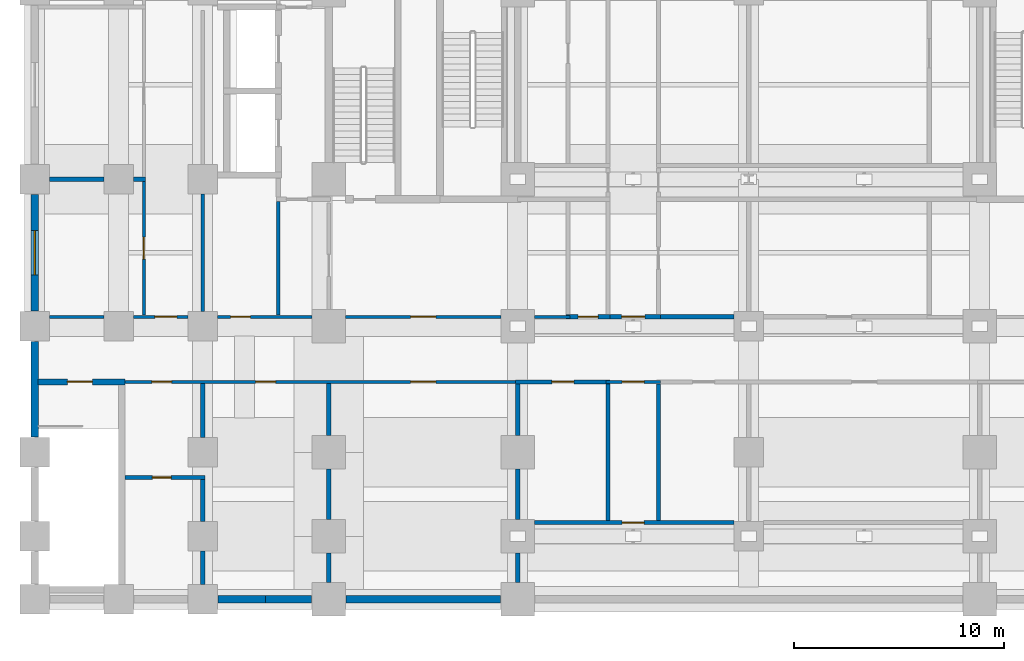
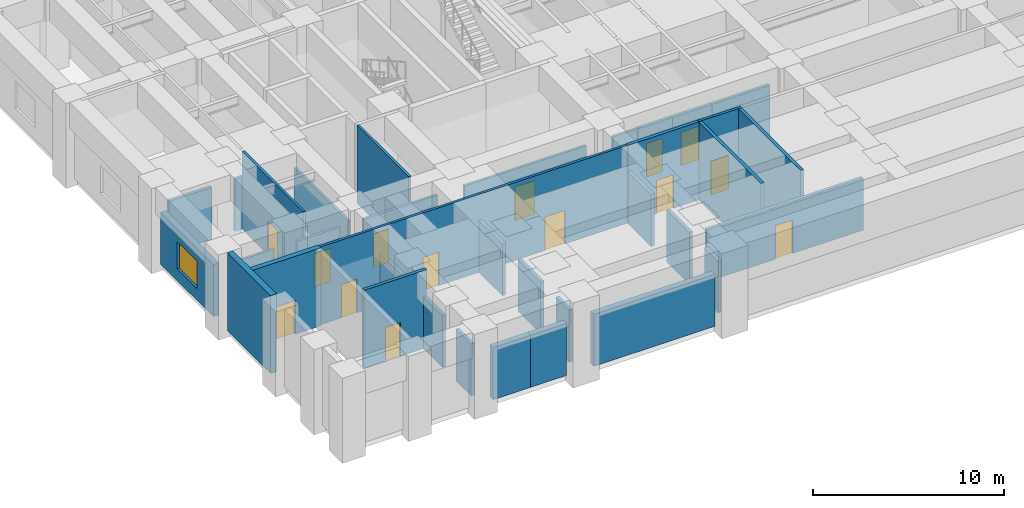
# One storey, part 7 of 22: 35 walls, 14 doors, 1 window, 15 openings.
"""IFC4 building model written with IfcOpenShell, lengths in metres."""

from ifc_helpers import new_model, si_unit, direction, frame, frame_2d, origin, place, context, subcontext, project, spatial, rectangle, extrude, material, layer, layer_set, type_object, element, fill, save


model = new_model("IFC4")

# Units and contexts
model_context = context("Model", 3, precision=1e-05, world=origin(), true_north=direction((0.0, 1.0)))
body_context = subcontext(model_context, "Body", "Model", "MODEL_VIEW")
ifc_project = project(units=[si_unit("LENGTHUNIT", "METRE"), si_unit("AREAUNIT", "SQUARE_METRE"), si_unit("VOLUMEUNIT", "CUBIC_METRE"), si_unit("PLANEANGLEUNIT", "RADIAN"), si_unit("MASSUNIT", "GRAM", prefix="KILO")], contexts=[model_context])

# Site, building, storey
site_placement = place(None, origin())
site = spatial("IfcSite", under=ifc_project, at=site_placement, CompositionType="ELEMENT")
building_placement = place(site_placement, origin())
building = spatial("IfcBuilding", under=site, at=building_placement, Name="Zulmaris Gate Convention Tower", CompositionType="ELEMENT")
storey_placement = place(building_placement, frame((0.0, 0.0, 21.760009765625)))
storey = spatial("IfcBuildingStorey", under=building, at=storey_placement, Name="L04", CompositionType="ELEMENT", Elevation=21.760009765625)

# Wall, opening, door
ifc_material_1 = material(Name="Concrete C50/60", Category="concrete")
ifc_layer_1 = layer(ifc_material_1, 0.300048828125, Name="Concrete C50/60")
ifc_layer_set_1 = layer_set([ifc_layer_1], Name="Concrete C50/60")
wall_type_1 = type_object("IfcWallType", Name="CORE-300", PredefinedType="SHEAR", material=ifc_layer_set_1)
wall_1_placement = place(storey_placement, frame((-33.8349609375, -18.64990234375, 0.0), z_axis=(0.0, 0.0, 1.0), x_axis=(1.0, 0.0, 0.0)))
wall_1 = element("IfcWall", 1, at=wall_1_placement, inside=storey, type_object=wall_type_1, Name="WL-L04-003", PredefinedType="SHEAR", context=body_context, shape_type="SweptSolid", body=[
    extrude(rectangle(XDim=4.135009765625, YDim=0.300048828125, at=frame_2d((2.0673828125, 0.0))), origin(), (0.0, 0.0, 1.0), 4.989990234375),
])
opening_1_placement = place(wall_1_placement, frame((1.385009765625, 0.0, 0.0)))
opening_1 = element("IfcOpeningElement", 2, at=opening_1_placement, cuts=wall_1, Name="Opening D-13", PredefinedType="OPENING", context=body_context, shape_type="SweptSolid", body=[
    extrude(rectangle(XDim=1.199951171875, YDim=2.14990234375, at=frame_2d((0.60009765625, 1.074951171875))), frame((0.0, 0.16015625, 0.0), z_axis=(0.0, -1.0, 0.0), x_axis=(1.0, 0.0, 0.0)), (0.0, 0.0, 1.0), 0.320068359375),
])
ifc_material_2 = material(Name="Fire-Rated Steel", Category="steel")
door_type_1 = type_object("IfcDoorType", Name="DR-1200-FD", OperationType="NOTDEFINED", PredefinedType="DOOR", material=ifc_material_2)
door_1_placement = place(opening_1_placement, origin())
door_1 = element("IfcDoor", 3, at=door_1_placement, inside=storey, type_object=door_type_1, Name="L04 Exit Stair ST-4 Door 25", OperationType="SINGLE_SWING_LEFT", OverallHeight=2.14990234375, OverallWidth=1.199951171875, PredefinedType="DOOR", context=body_context, shape_type="SweptSolid", body=[
    extrude(rectangle(XDim=1.199951171875, YDim=2.14990234375, at=frame_2d((0.60009765625, 1.074951171875))), frame((0.0, 0.02490234375, 0.0), z_axis=(0.0, -1.0, 0.0), x_axis=(1.0, 0.0, 0.0)), (0.0, 0.0, 1.0), 0.050048828125),
])
fill(opening_1, door_1)

# Wall, openings, doors
ifc_material_3 = material(Name="Gypsum Metal Stud Partition")
ifc_layer_2 = layer(ifc_material_3, 0.14990234375, Name="Gypsum Metal Stud Partition")
ifc_layer_set_2 = layer_set([ifc_layer_2], Name="Gypsum Metal Stud Partition")
wall_type_2 = type_object("IfcWallType", Name="PART-150", PredefinedType="PARTITIONING", material=ifc_layer_set_2)
wall_2_placement = place(storey_placement, frame((-29.85009765625, -18.64990234375, 0.0), z_axis=(0.0, 0.0, 1.0), x_axis=(1.0, 0.0, 0.0)))
wall_2 = element("IfcWall", 4, at=wall_2_placement, inside=storey, type_object=wall_type_2, Name="WL-L04-031", PredefinedType="PARTITIONING", context=body_context, shape_type="SweptSolid", body=[
    extrude(rectangle(XDim=18.9501953125, YDim=0.14990234375, at=frame_2d((9.47509765625, 0.0))), origin(), (0.0, 0.0, 1.0), 4.989990234375),
])
opening_2_placement = place(wall_2_placement, frame((1.425048828125, 0.0, 0.0)))
opening_2 = element("IfcOpeningElement", 5, at=opening_2_placement, cuts=wall_2, Name="Opening D-11", PredefinedType="OPENING", context=body_context, shape_type="SweptSolid", body=[
    extrude(rectangle(XDim=0.949951171875, YDim=2.14990234375, at=frame_2d((0.47509765625, 1.074951171875))), frame((0.0, 0.0849609375, 0.0), z_axis=(0.0, -1.0, 0.0), x_axis=(1.0, 0.0, 0.0)), (0.0, 0.0, 1.0), 0.169921875),
])
opening_3_placement = place(wall_2_placement, frame((6.375, 0.0, 0.0)))
opening_3 = element("IfcOpeningElement", 6, at=opening_3_placement, cuts=wall_2, Name="Opening D-11", PredefinedType="OPENING", context=body_context, shape_type="SweptSolid", body=[
    extrude(rectangle(XDim=0.949951171875, YDim=2.14990234375, at=frame_2d((0.47509765625, 1.074951171875))), frame((0.0, 0.0849609375, 0.0), z_axis=(0.0, -1.0, 0.0), x_axis=(1.0, 0.0, 0.0)), (0.0, 0.0, 1.0), 0.169921875),
])
opening_4_placement = place(wall_2_placement, frame((13.75, 0.0, 0.0)))
opening_4 = element("IfcOpeningElement", 7, at=opening_4_placement, cuts=wall_2, Name="Opening D-13", PredefinedType="OPENING", context=body_context, shape_type="SweptSolid", body=[
    extrude(rectangle(XDim=1.199951171875, YDim=2.14990234375, at=frame_2d((0.60009765625, 1.074951171875))), frame((0.0, 0.0849609375, 0.0), z_axis=(0.0, -1.0, 0.0), x_axis=(1.0, 0.0, 0.0)), (0.0, 0.0, 1.0), 0.169921875),
])
door_2_placement = place(opening_4_placement, origin())
door_2 = element("IfcDoor", 8, at=door_2_placement, inside=storey, type_object=door_type_1, Name="L04 South-West Banquet Hall Door 83", OperationType="SINGLE_SWING_LEFT", OverallHeight=2.14990234375, OverallWidth=1.199951171875, PredefinedType="DOOR", context=body_context, shape_type="SweptSolid", body=[
    extrude(rectangle(XDim=1.199951171875, YDim=2.14990234375, at=frame_2d((0.60009765625, 1.074951171875))), frame((0.0, 0.02490234375, 0.0), z_axis=(0.0, -1.0, 0.0), x_axis=(1.0, 0.0, 0.0)), (0.0, 0.0, 1.0), 0.050048828125),
])
fill(opening_4, door_2)
ifc_material_4 = material(Name="Fire-Rated Timber", Category="wood")
door_type_2 = type_object("IfcDoorType", Name="DR-950-FD", OperationType="NOTDEFINED", PredefinedType="DOOR", material=ifc_material_4)
door_3_placement = place(opening_2_placement, origin())
door_3 = element("IfcDoor", 9, at=door_3_placement, inside=storey, type_object=door_type_2, Name="L04 SW AV Control Door 81", OperationType="SINGLE_SWING_LEFT", OverallHeight=2.14990234375, OverallWidth=0.949951171875, PredefinedType="DOOR", context=body_context, shape_type="SweptSolid", body=[
    extrude(rectangle(XDim=0.949951171875, YDim=2.14990234375, at=frame_2d((0.47509765625, 1.074951171875))), frame((0.0, 0.02490234375, 0.0), z_axis=(0.0, -1.0, 0.0), x_axis=(1.0, 0.0, 0.0)), (0.0, 0.0, 1.0), 0.050048828125),
])
fill(opening_2, door_3)
door_4_placement = place(opening_3_placement, origin())
door_4 = element("IfcDoor", 10, at=door_4_placement, inside=storey, type_object=door_type_2, Name="L04 South-West Seminar Room Door 82", OperationType="SINGLE_SWING_RIGHT", OverallHeight=2.14990234375, OverallWidth=0.949951171875, PredefinedType="DOOR", context=body_context, shape_type="SweptSolid", body=[
    extrude(rectangle(XDim=0.949951171875, YDim=2.14990234375, at=frame_2d((0.47509765625, 1.074951171875))), frame((0.0, 0.02490234375, 0.0), z_axis=(0.0, -1.0, 0.0), x_axis=(1.0, 0.0, 0.0)), (0.0, 0.0, 1.0), 0.050048828125),
])
fill(opening_3, door_4)

# Wall, opening, door
wall_3_placement = place(storey_placement, frame((-6.800048828125, -18.64990234375, 0.0), z_axis=(0.0, 0.0, 1.0), x_axis=(1.0, 0.0, 0.0)))
wall_3 = element("IfcWall", 11, at=wall_3_placement, inside=storey, type_object=wall_type_2, Name="WL-L04-033", PredefinedType="PARTITIONING", context=body_context, shape_type="SweptSolid", body=[
    extrude(rectangle(XDim=2.60009765625, YDim=0.14990234375, at=frame_2d((1.300048828125, 0.0))), origin(), (0.0, 0.0, 1.0), 4.989990234375),
])
opening_5_placement = place(wall_3_placement, frame((0.77490234375, 0.0, 0.0)))
opening_5 = element("IfcOpeningElement", 12, at=opening_5_placement, cuts=wall_3, Name="Opening D-09", PredefinedType="OPENING", context=body_context, shape_type="SweptSolid", body=[
    extrude(rectangle(XDim=1.050048828125, YDim=2.14990234375, at=frame_2d((0.52490234375, 1.074951171875))), frame((0.0, 0.0849609375, 0.0), z_axis=(0.0, -1.0, 0.0), x_axis=(1.0, 0.0, 0.0)), (0.0, 0.0, 1.0), 0.169921875),
])
door_type_3 = type_object("IfcDoorType", Name="DR-1050-FD", OperationType="NOTDEFINED", PredefinedType="DOOR", material=ifc_material_2)
door_5_placement = place(opening_5_placement, origin())
door_5 = element("IfcDoor", 13, at=door_5_placement, inside=storey, type_object=door_type_3, Name="L04 South Truss Apex Passage Door 87", OperationType="SINGLE_SWING_LEFT", OverallHeight=2.14990234375, OverallWidth=1.050048828125, PredefinedType="DOOR", context=body_context, shape_type="SweptSolid", body=[
    extrude(rectangle(XDim=1.050048828125, YDim=2.14990234375, at=frame_2d((0.52490234375, 1.074951171875))), frame((0.0, 0.02490234375, 0.0), z_axis=(0.0, -1.0, 0.0), x_axis=(1.0, 0.0, 0.0)), (0.0, 0.0, 1.0), 0.050048828125),
])
fill(opening_5, door_5)

# Wall
wall_4_placement = place(storey_placement, frame((-33.2939453125, -15.550048828125, 0.0), z_axis=(0.0, 0.0, 1.0), x_axis=(1.0, 0.0, 0.0)))
element("IfcWall", 14, at=wall_4_placement, inside=storey, type_object=wall_type_2, Name="WL-L04-036", PredefinedType="PARTITIONING", context=body_context, shape_type="SweptSolid", body=[
    extrude(rectangle(XDim=2.587890625, YDim=0.14990234375, at=frame_2d((1.2939453125, 0.0))), origin(), (0.0, 0.0, 1.0), 3.33203125),
])

# Wall, opening, door
wall_5_placement = place(storey_placement, frame((-29.2939453125, -15.550048828125, 0.0), z_axis=(0.0, 0.0, 1.0), x_axis=(1.0, 0.0, 0.0)))
wall_5 = element("IfcWall", 15, at=wall_5_placement, inside=storey, type_object=wall_type_2, Name="WL-L04-036S1", PredefinedType="PARTITIONING", context=body_context, shape_type="SweptSolid", body=[
    extrude(rectangle(XDim=2.587890625, YDim=0.14990234375, at=frame_2d((1.2939453125, 0.0))), origin(), (0.0, 0.0, 1.0), 3.33203125),
])
opening_6_placement = place(wall_5_placement, frame((1.01904296875, 0.0, 0.0)))
opening_6 = element("IfcOpeningElement", 16, at=opening_6_placement, cuts=wall_5, Name="Opening D-09", PredefinedType="OPENING", context=body_context, shape_type="SweptSolid", body=[
    extrude(rectangle(XDim=1.050048828125, YDim=2.14990234375, at=frame_2d((0.52490234375, 1.074951171875))), frame((0.0, 0.0849609375, 0.0), z_axis=(0.0, -1.0, 0.0), x_axis=(1.0, 0.0, 0.0)), (0.0, 0.0, 1.0), 0.169921875),
])
door_6_placement = place(opening_6_placement, origin())
door_6 = element("IfcDoor", 17, at=door_6_placement, inside=storey, type_object=door_type_3, Name="L04 West Promenade Stair Link Door 64", OperationType="SINGLE_SWING_RIGHT", OverallHeight=2.14990234375, OverallWidth=1.050048828125, PredefinedType="DOOR", context=body_context, shape_type="SweptSolid", body=[
    extrude(rectangle(XDim=1.050048828125, YDim=2.14990234375, at=frame_2d((0.52490234375, 1.074951171875))), frame((0.0, 0.02490234375, 0.0), z_axis=(0.0, -1.0, 0.0), x_axis=(1.0, 0.0, 0.0)), (0.0, 0.0, 1.0), 0.050048828125),
])
fill(opening_6, door_6)

wall_6_placement = place(storey_placement, frame((-25.2939453125, -15.550048828125, 0.0), z_axis=(0.0, 0.0, 1.0), x_axis=(1.0, 0.0, 0.0)))
wall_6 = element("IfcWall", 18, at=wall_6_placement, inside=storey, type_object=wall_type_2, Name="WL-L04-036S2", PredefinedType="PARTITIONING", context=body_context, shape_type="SweptSolid", body=[
    extrude(rectangle(XDim=4.488037109375, YDim=0.14990234375, at=frame_2d((2.244140625, 0.0))), origin(), (0.0, 0.0, 1.0), 3.33203125),
])
opening_7_placement = place(wall_6_placement, frame((0.618896484375, 0.0, 0.0)))
opening_7 = element("IfcOpeningElement", 19, at=opening_7_placement, cuts=wall_6, Name="Opening D-11", PredefinedType="OPENING", context=body_context, shape_type="SweptSolid", body=[
    extrude(rectangle(XDim=0.949951171875, YDim=2.14990234375, at=frame_2d((0.47509765625, 1.074951171875))), frame((0.0, 0.0849609375, 0.0), z_axis=(0.0, -1.0, 0.0), x_axis=(1.0, 0.0, 0.0)), (0.0, 0.0, 1.0), 0.169921875),
])
door_7_placement = place(opening_7_placement, origin())
door_7 = element("IfcDoor", 20, at=door_7_placement, inside=storey, type_object=door_type_2, Name="L04 West Staging Store Door 35", OperationType="SINGLE_SWING_LEFT", OverallHeight=2.14990234375, OverallWidth=0.949951171875, PredefinedType="DOOR", context=body_context, shape_type="SweptSolid", body=[
    extrude(rectangle(XDim=0.949951171875, YDim=2.14990234375, at=frame_2d((0.47509765625, 1.074951171875))), frame((0.0, 0.02490234375, 0.0), z_axis=(0.0, -1.0, 0.0), x_axis=(1.0, 0.0, 0.0)), (0.0, 0.0, 1.0), 0.050048828125),
])
fill(opening_7, door_7)

wall_7_placement = place(storey_placement, frame((-19.194091796875, -15.550048828125, 0.0), z_axis=(0.0, 0.0, 1.0), x_axis=(1.0, 0.0, 0.0)))
wall_7 = element("IfcWall", 21, at=wall_7_placement, inside=storey, type_object=wall_type_2, Name="WL-L04-036S3", PredefinedType="PARTITIONING", context=body_context, shape_type="SweptSolid", body=[
    extrude(rectangle(XDim=7.38818359375, YDim=0.14990234375, at=frame_2d((3.694091796875, 0.0))), origin(), (0.0, 0.0, 1.0), 3.33203125),
])
opening_8_placement = place(wall_7_placement, frame((3.093994140625, 0.0, 0.0)))
opening_8 = element("IfcOpeningElement", 22, at=opening_8_placement, cuts=wall_7, Name="Opening D-13", PredefinedType="OPENING", context=body_context, shape_type="SweptSolid", body=[
    extrude(rectangle(XDim=1.199951171875, YDim=2.14990234375, at=frame_2d((0.60009765625, 1.074951171875))), frame((0.0, 0.0849609375, 0.0), z_axis=(0.0, -1.0, 0.0), x_axis=(1.0, 0.0, 0.0)), (0.0, 0.0, 1.0), 0.169921875),
])
door_8_placement = place(opening_8_placement, origin())
door_8 = element("IfcDoor", 23, at=door_8_placement, inside=storey, type_object=door_type_1, Name="L04 SW Stair Link Door 44", OperationType="SINGLE_SWING_RIGHT", OverallHeight=2.14990234375, OverallWidth=1.199951171875, PredefinedType="DOOR", context=body_context, shape_type="SweptSolid", body=[
    extrude(rectangle(XDim=1.199951171875, YDim=2.14990234375, at=frame_2d((0.60009765625, 1.074951171875))), frame((0.0, 0.02490234375, 0.0), z_axis=(0.0, -1.0, 0.0), x_axis=(1.0, 0.0, 0.0)), (0.0, 0.0, 1.0), 0.050048828125),
])
fill(opening_8, door_8)

# Wall
wall_8_placement = place(storey_placement, frame((-10.194091796875, -15.550048828125, 0.0), z_axis=(0.0, 0.0, 1.0), x_axis=(1.0, 0.0, 0.0)))
element("IfcWall", 24, at=wall_8_placement, inside=storey, type_object=wall_type_2, Name="WL-L04-036S4", PredefinedType="PARTITIONING", context=body_context, shape_type="SweptSolid", body=[
    extrude(rectangle(XDim=1.694091796875, YDim=0.14990234375, at=frame_2d((0.84716796875, 0.0))), origin(), (0.0, 0.0, 1.0), 3.33203125),
])

# Wall, opening, door
wall_9_placement = place(storey_placement, frame((-28.800048828125, -15.471923828125, 0.0), z_axis=(0.0, 0.0, 1.0), x_axis=(0.0, 1.0, 0.0)))
wall_9 = element("IfcWall", 25, at=wall_9_placement, inside=storey, type_object=wall_type_2, Name="WL-L04-116", PredefinedType="PARTITIONING", context=body_context, shape_type="SweptSolid", body=[
    extrude(rectangle(XDim=6.368896484375, YDim=0.14990234375, at=frame_2d((3.1845703125, 0.0))), origin(), (0.0, 0.0, 1.0), 4.989990234375),
])
opening_9_placement = place(wall_9_placement, frame((2.6669921875, 0.0, 0.0)))
opening_9 = element("IfcOpeningElement", 26, at=opening_9_placement, cuts=wall_9, Name="Opening D-09", PredefinedType="OPENING", context=body_context, shape_type="SweptSolid", body=[
    extrude(rectangle(XDim=1.050048828125, YDim=2.14990234375, at=frame_2d((0.52490234375, 1.074951171875))), frame((0.0, 0.0849609375, 0.0), z_axis=(0.0, -1.0, 0.0), x_axis=(1.0, 0.0, 0.0)), (0.0, 0.0, 1.0), 0.169921875),
])
door_9_placement = place(opening_9_placement, origin())
door_9 = element("IfcDoor", 27, at=door_9_placement, inside=storey, type_object=door_type_3, Name="L04 SW Workshop WL1 Door 66", OperationType="SINGLE_SWING_RIGHT", OverallHeight=2.14990234375, OverallWidth=1.050048828125, PredefinedType="DOOR", context=body_context, shape_type="SweptSolid", body=[
    extrude(rectangle(XDim=1.050048828125, YDim=2.14990234375, at=frame_2d((0.52490234375, 1.074951171875))), frame((0.0, 0.02490234375, 0.0), z_axis=(0.0, -1.0, 0.0), x_axis=(1.0, 0.0, 0.0)), (0.0, 0.0, 1.0), 0.050048828125),
])
fill(opening_9, door_9)

# Walls
wall_10_placement = place(storey_placement, frame((-26.0, -15.2939453125, 0.0), z_axis=(0.0, 0.0, 1.0), x_axis=(0.0, 1.0, 0.0)))
element("IfcWall", 28, at=wall_10_placement, inside=storey, type_object=wall_type_2, Name="WL-L04-122", PredefinedType="PARTITIONING", context=body_context, shape_type="SweptSolid", body=[
    extrude(rectangle(XDim=5.587890625, YDim=0.14990234375, at=frame_2d((2.7939453125, 0.0))), origin(), (0.0, 0.0, 1.0), 3.33203125),
])
wall_11_placement = place(storey_placement, frame((-22.39990234375, -15.471923828125, 0.0), z_axis=(0.0, 0.0, 1.0), x_axis=(0.0, 1.0, 0.0)))
element("IfcWall", 29, at=wall_11_placement, inside=storey, type_object=wall_type_2, Name="WL-L04-126", PredefinedType="PARTITIONING", context=body_context, shape_type="SweptSolid", body=[
    extrude(rectangle(XDim=5.4189453125, YDim=0.14990234375, at=frame_2d((2.70947265625, 0.0))), origin(), (0.0, 0.0, 1.0), 4.989990234375),
])

# Wall, opening, door
ifc_material_5 = material(Name="Autoclaved Aerated Concrete Block and Plasterboard", Category="concrete")
ifc_layer_3 = layer(ifc_material_5, 0.199951171875, Name="Autoclaved Aerated Concrete Block and Plasterboard")
ifc_layer_set_3 = layer_set([ifc_layer_3], Name="Autoclaved Aerated Concrete Block and Plasterboard")
wall_type_3 = type_object("IfcWallType", Name="PART-200", PredefinedType="PARTITIONING", material=ifc_layer_set_3)
wall_12_placement = place(storey_placement, frame((-10.194091796875, -25.35009765625, 0.0), z_axis=(0.0, 0.0, 1.0), x_axis=(1.0, 0.0, 0.0)))
wall_12 = element("IfcWall", 30, at=wall_12_placement, inside=storey, type_object=wall_type_3, Name="WL-L04-029", PredefinedType="PARTITIONING", context=body_context, shape_type="SweptSolid", body=[
    extrude(rectangle(XDim=9.488037109375, YDim=0.199951171875, at=frame_2d((4.744140625, 0.0))), origin(), (0.0, 0.0, 1.0), 3.33203125),
])
opening_10_placement = place(wall_12_placement, frame((4.1689453125, 0.0, 0.0)))
opening_10 = element("IfcOpeningElement", 31, at=opening_10_placement, cuts=wall_12, Name="Opening D-09", PredefinedType="OPENING", context=body_context, shape_type="SweptSolid", body=[
    extrude(rectangle(XDim=1.050048828125, YDim=2.14990234375, at=frame_2d((0.52490234375, 1.074951171875))), frame((0.0, 0.10986328125, 0.0), z_axis=(0.0, -1.0, 0.0), x_axis=(1.0, 0.0, 0.0)), (0.0, 0.0, 1.0), 0.219970703125),
])
door_10_placement = place(opening_10_placement, origin())
door_10 = element("IfcDoor", 32, at=door_10_placement, inside=storey, type_object=door_type_3, Name="L04 South Truss Plant Door 88", OperationType="SINGLE_SWING_RIGHT", OverallHeight=2.14990234375, OverallWidth=1.050048828125, PredefinedType="DOOR", context=body_context, shape_type="SweptSolid", body=[
    extrude(rectangle(XDim=1.050048828125, YDim=2.14990234375, at=frame_2d((0.52490234375, 1.074951171875))), frame((0.0, 0.02490234375, 0.0), z_axis=(0.0, -1.0, 0.0), x_axis=(1.0, 0.0, 0.0)), (0.0, 0.0, 1.0), 0.050048828125),
])
fill(opening_10, door_10)

wall_13_placement = place(storey_placement, frame((-29.697021484375, -23.199951171875, 0.0), z_axis=(0.0, 0.0, 1.0), x_axis=(1.0, 0.0, 0.0)))
wall_13 = element("IfcWall", 33, at=wall_13_placement, inside=storey, type_object=wall_type_3, Name="WL-L04-030", PredefinedType="PARTITIONING", context=body_context, shape_type="SweptSolid", body=[
    extrude(rectangle(XDim=3.797119140625, YDim=0.199951171875, at=frame_2d((1.8984375, 0.0))), origin(), (0.0, 0.0, 1.0), 4.989990234375),
])
opening_11_placement = place(wall_13_placement, frame((1.297119140625, 0.0, 0.0)))
opening_11 = element("IfcOpeningElement", 34, at=opening_11_placement, cuts=wall_13, Name="Opening D-12", PredefinedType="OPENING", context=body_context, shape_type="SweptSolid", body=[
    extrude(rectangle(XDim=0.89990234375, YDim=2.14990234375, at=frame_2d((0.449951171875, 1.074951171875))), frame((0.0, 0.10986328125, 0.0), z_axis=(0.0, -1.0, 0.0), x_axis=(1.0, 0.0, 0.0)), (0.0, 0.0, 1.0), 0.219970703125),
])
door_type_4 = type_object("IfcDoorType", Name="DR-900-FD", OperationType="NOTDEFINED", PredefinedType="DOOR", material=ifc_material_4)
door_11_placement = place(opening_11_placement, origin())
door_11 = element("IfcDoor", 35, at=door_11_placement, inside=storey, type_object=door_type_4, Name="L04 SW AV Store Door 80", OperationType="SINGLE_SWING_RIGHT", OverallHeight=2.14990234375, OverallWidth=0.89990234375, PredefinedType="DOOR", context=body_context, shape_type="SweptSolid", body=[
    extrude(rectangle(XDim=0.89990234375, YDim=2.14990234375, at=frame_2d((0.449951171875, 1.074951171875))), frame((0.0, 0.02490234375, 0.0), z_axis=(0.0, -1.0, 0.0), x_axis=(1.0, 0.0, 0.0)), (0.0, 0.0, 1.0), 0.050048828125),
])
fill(opening_11, door_11)

wall_14_placement = place(storey_placement, frame((-11.10009765625, -18.64990234375, 0.0), z_axis=(0.0, 0.0, 1.0), x_axis=(1.0, 0.0, 0.0)))
wall_14 = element("IfcWall", 36, at=wall_14_placement, inside=storey, type_object=wall_type_3, Name="WL-L04-032", PredefinedType="PARTITIONING", context=body_context, shape_type="SweptSolid", body=[
    extrude(rectangle(XDim=4.5, YDim=0.199951171875, at=frame_2d((2.25, 0.0))), origin(), (0.0, 0.0, 1.0), 4.989990234375),
])
opening_12_placement = place(wall_14_placement, frame((1.72509765625, 0.0, 0.0)))
opening_12 = element("IfcOpeningElement", 37, at=opening_12_placement, cuts=wall_14, Name="Opening D-09", PredefinedType="OPENING", context=body_context, shape_type="SweptSolid", body=[
    extrude(rectangle(XDim=1.050048828125, YDim=2.14990234375, at=frame_2d((0.52490234375, 1.074951171875))), frame((0.0, 0.10986328125, 0.0), z_axis=(0.0, -1.0, 0.0), x_axis=(1.0, 0.0, 0.0)), (0.0, 0.0, 1.0), 0.219970703125),
])
door_12_placement = place(opening_12_placement, origin())
door_12 = element("IfcDoor", 38, at=door_12_placement, inside=storey, type_object=door_type_3, Name="L04 SW Briefing Room Door 89", OperationType="SINGLE_SWING_LEFT", OverallHeight=2.14990234375, OverallWidth=1.050048828125, PredefinedType="DOOR", context=body_context, shape_type="SweptSolid", body=[
    extrude(rectangle(XDim=1.050048828125, YDim=2.14990234375, at=frame_2d((0.52490234375, 1.074951171875))), frame((0.0, 0.02490234375, 0.0), z_axis=(0.0, -1.0, 0.0), x_axis=(1.0, 0.0, 0.0)), (0.0, 0.0, 1.0), 0.050048828125),
])
fill(opening_12, door_12)

wall_15_placement = place(storey_placement, frame((-8.699951171875, -15.550048828125, 0.0), z_axis=(0.0, 0.0, 1.0), x_axis=(1.0, 0.0, 0.0)))
wall_15 = element("IfcWall", 39, at=wall_15_placement, inside=storey, type_object=wall_type_3, Name="WL-L04-037", PredefinedType="PARTITIONING", context=body_context, shape_type="SweptSolid", body=[
    extrude(rectangle(XDim=2.099853515625, YDim=0.199951171875, at=frame_2d((1.0498046875, 0.0))), origin(), (0.0, 0.0, 1.0), 3.33203125),
])
opening_13_placement = place(wall_15_placement, frame((0.574951171875, 0.0, 0.0)))
opening_13 = element("IfcOpeningElement", 40, at=opening_13_placement, cuts=wall_15, Name="Opening D-11", PredefinedType="OPENING", context=body_context, shape_type="SweptSolid", body=[
    extrude(rectangle(XDim=0.949951171875, YDim=2.14990234375, at=frame_2d((0.47509765625, 1.074951171875))), frame((0.0, 0.10986328125, 0.0), z_axis=(0.0, -1.0, 0.0), x_axis=(1.0, 0.0, 0.0)), (0.0, 0.0, 1.0), 0.219970703125),
])
door_13_placement = place(opening_13_placement, origin())
door_13 = element("IfcDoor", 41, at=door_13_placement, inside=storey, type_object=door_type_2, Name="L04 SW Arch Store Door 96", OperationType="SINGLE_SWING_RIGHT", OverallHeight=2.14990234375, OverallWidth=0.949951171875, PredefinedType="DOOR", context=body_context, shape_type="SweptSolid", body=[
    extrude(rectangle(XDim=0.949951171875, YDim=2.14990234375, at=frame_2d((0.47509765625, 1.074951171875))), frame((0.0, 0.02490234375, 0.0), z_axis=(0.0, -1.0, 0.0), x_axis=(1.0, 0.0, 0.0)), (0.0, 0.0, 1.0), 0.050048828125),
])
fill(opening_13, door_13)

wall_16_placement = place(storey_placement, frame((-6.800048828125, -15.550048828125, 0.0), z_axis=(0.0, 0.0, 1.0), x_axis=(1.0, 0.0, 0.0)))
wall_16 = element("IfcWall", 42, at=wall_16_placement, inside=storey, type_object=wall_type_3, Name="WL-L04-038", PredefinedType="PARTITIONING", context=body_context, shape_type="SweptSolid", body=[
    extrude(rectangle(XDim=2.60009765625, YDim=0.199951171875, at=frame_2d((1.300048828125, 0.0))), origin(), (0.0, 0.0, 1.0), 3.33203125),
])
opening_14_placement = place(wall_16_placement, frame((0.75, 0.0, 0.0)))
opening_14 = element("IfcOpeningElement", 43, at=opening_14_placement, cuts=wall_16, Name="Opening D-08", PredefinedType="OPENING", context=body_context, shape_type="SweptSolid", body=[
    extrude(rectangle(XDim=1.10009765625, YDim=2.14990234375, at=frame_2d((0.550048828125, 1.074951171875))), frame((0.0, 0.10986328125, 0.0), z_axis=(0.0, -1.0, 0.0), x_axis=(1.0, 0.0, 0.0)), (0.0, 0.0, 1.0), 0.219970703125),
])
door_type_5 = type_object("IfcDoorType", Name="DR-1100-FD", OperationType="NOTDEFINED", PredefinedType="DOOR", material=ifc_material_2)
door_14_placement = place(opening_14_placement, origin())
door_14 = element("IfcDoor", 44, at=door_14_placement, inside=storey, type_object=door_type_5, Name="L04 Apex Spine South Link Door 92", OperationType="SINGLE_SWING_RIGHT", OverallHeight=2.14990234375, OverallWidth=1.10009765625, PredefinedType="DOOR", context=body_context, shape_type="SweptSolid", body=[
    extrude(rectangle(XDim=1.10009765625, YDim=2.14990234375, at=frame_2d((0.550048828125, 1.074951171875))), frame((0.0, 0.02490234375, 0.0), z_axis=(0.0, -1.0, 0.0), x_axis=(1.0, 0.0, 0.0)), (0.0, 0.0, 1.0), 0.050048828125),
])
fill(opening_14, door_14)

# Walls
wall_17_placement = place(storey_placement, frame((-4.39990234375, -15.550048828125, 0.0), z_axis=(0.0, 0.0, 1.0), x_axis=(1.0, 0.0, 0.0)))
element("IfcWall", 45, at=wall_17_placement, inside=storey, type_object=wall_type_3, Name="WL-L04-039", PredefinedType="PARTITIONING", context=body_context, shape_type="SweptSolid", body=[
    extrude(rectangle(XDim=3.69384765625, YDim=0.199951171875, at=frame_2d((1.846923828125, 0.0))), origin(), (0.0, 0.0, 1.0), 3.33203125),
])
wall_18_placement = place(storey_placement, frame((-33.2939453125, -9.0, 0.0), z_axis=(0.0, 0.0, 1.0), x_axis=(1.0, 0.0, 0.0)))
element("IfcWall", 46, at=wall_18_placement, inside=storey, type_object=wall_type_3, Name="WL-L04-044", PredefinedType="PARTITIONING", context=body_context, shape_type="SweptSolid", body=[
    extrude(rectangle(XDim=2.587890625, YDim=0.199951171875, at=frame_2d((1.2939453125, 0.0))), origin(), (0.0, 0.0, 1.0), 3.33203125),
])
wall_19_placement = place(storey_placement, frame((-29.2939453125, -9.0, 0.0), z_axis=(0.0, 0.0, 1.0), x_axis=(1.0, 0.0, 0.0)))
element("IfcWall", 47, at=wall_19_placement, inside=storey, type_object=wall_type_3, Name="WL-L04-044S1", PredefinedType="PARTITIONING", context=body_context, shape_type="SweptSolid", body=[
    extrude(rectangle(XDim=0.56884765625, YDim=0.199951171875, at=frame_2d((0.284423828125, 0.0))), origin(), (0.0, 0.0, 1.0), 3.33203125),
])
wall_20_placement = place(storey_placement, frame((-26.0, -28.2939453125, 0.0), z_axis=(0.0, 0.0, 1.0), x_axis=(0.0, 1.0, 0.0)))
element("IfcWall", 48, at=wall_20_placement, inside=storey, type_object=wall_type_3, Name="WL-L04-120", PredefinedType="PARTITIONING", context=body_context, shape_type="SweptSolid", body=[
    extrude(rectangle(XDim=1.587890625, YDim=0.199951171875, at=frame_2d((0.7939453125, 0.0))), origin(), (0.0, 0.0, 1.0), 3.33203125),
])
wall_21_placement = place(storey_placement, frame((-26.0, -25.2939453125, 0.0), z_axis=(0.0, 0.0, 1.0), x_axis=(0.0, 1.0, 0.0)))
element("IfcWall", 49, at=wall_21_placement, inside=storey, type_object=wall_type_3, Name="WL-L04-120S1", PredefinedType="PARTITIONING", context=body_context, shape_type="SweptSolid", body=[
    extrude(rectangle(XDim=1.990966796875, YDim=0.199951171875, at=frame_2d((0.99560546875, 0.0))), origin(), (0.0, 0.0, 1.0), 3.33203125),
])
wall_22_placement = place(storey_placement, frame((-26.0, -21.2939453125, 0.0), z_axis=(0.0, 0.0, 1.0), x_axis=(0.0, 1.0, 0.0)))
element("IfcWall", 50, at=wall_22_placement, inside=storey, type_object=wall_type_3, Name="WL-L04-121", PredefinedType="PARTITIONING", context=body_context, shape_type="SweptSolid", body=[
    extrude(rectangle(XDim=2.56591796875, YDim=0.199951171875, at=frame_2d((1.282958984375, 0.0))), origin(), (0.0, 0.0, 1.0), 3.33203125),
])
wall_23_placement = place(storey_placement, frame((-20.0, -28.194091796875, 0.0), z_axis=(0.0, 0.0, 1.0), x_axis=(0.0, 1.0, 0.0)))
element("IfcWall", 51, at=wall_23_placement, inside=storey, type_object=wall_type_3, Name="WL-L04-129", PredefinedType="PARTITIONING", context=body_context, shape_type="SweptSolid", body=[
    extrude(rectangle(XDim=1.38818359375, YDim=0.199951171875, at=frame_2d((0.694091796875, 0.0))), origin(), (0.0, 0.0, 1.0), 3.33203125),
])
wall_24_placement = place(storey_placement, frame((-20.0, -25.194091796875, 0.0), z_axis=(0.0, 0.0, 1.0), x_axis=(0.0, 1.0, 0.0)))
element("IfcWall", 52, at=wall_24_placement, inside=storey, type_object=wall_type_3, Name="WL-L04-129S1", PredefinedType="PARTITIONING", context=body_context, shape_type="SweptSolid", body=[
    extrude(rectangle(XDim=2.38818359375, YDim=0.199951171875, at=frame_2d((1.194091796875, 0.0))), origin(), (0.0, 0.0, 1.0), 3.33203125),
])
wall_25_placement = place(storey_placement, frame((-20.0, -21.194091796875, 0.0), z_axis=(0.0, 0.0, 1.0), x_axis=(0.0, 1.0, 0.0)))
element("IfcWall", 53, at=wall_25_placement, inside=storey, type_object=wall_type_3, Name="WL-L04-129S2", PredefinedType="PARTITIONING", context=body_context, shape_type="SweptSolid", body=[
    extrude(rectangle(XDim=2.466064453125, YDim=0.199951171875, at=frame_2d((1.23291015625, 0.0))), origin(), (0.0, 0.0, 1.0), 3.33203125),
])
wall_26_placement = place(storey_placement, frame((-11.0, -28.194091796875, 0.0), z_axis=(0.0, 0.0, 1.0), x_axis=(0.0, 1.0, 0.0)))
element("IfcWall", 54, at=wall_26_placement, inside=storey, type_object=wall_type_3, Name="WL-L04-134", PredefinedType="PARTITIONING", context=body_context, shape_type="SweptSolid", body=[
    extrude(rectangle(XDim=1.38818359375, YDim=0.199951171875, at=frame_2d((0.694091796875, 0.0))), origin(), (0.0, 0.0, 1.0), 3.33203125),
])
wall_27_placement = place(storey_placement, frame((-11.0, -25.194091796875, 0.0), z_axis=(0.0, 0.0, 1.0), x_axis=(0.0, 1.0, 0.0)))
element("IfcWall", 55, at=wall_27_placement, inside=storey, type_object=wall_type_3, Name="WL-L04-135", PredefinedType="PARTITIONING", context=body_context, shape_type="SweptSolid", body=[
    extrude(rectangle(XDim=2.38818359375, YDim=0.199951171875, at=frame_2d((1.194091796875, 0.0))), origin(), (0.0, 0.0, 1.0), 3.33203125),
])
wall_28_placement = place(storey_placement, frame((-11.0, -21.194091796875, 0.0), z_axis=(0.0, 0.0, 1.0), x_axis=(0.0, 1.0, 0.0)))
element("IfcWall", 56, at=wall_28_placement, inside=storey, type_object=wall_type_3, Name="WL-L04-135S1", PredefinedType="PARTITIONING", context=body_context, shape_type="SweptSolid", body=[
    extrude(rectangle(XDim=2.441162109375, YDim=0.199951171875, at=frame_2d((1.220703125, 0.0))), origin(), (0.0, 0.0, 1.0), 3.33203125),
])
for number, where, z_axis, x_axis, name in (
    (57, (-6.699951171875, -25.2470703125, 0.0), (0.0, 0.0, 1.0), (0.0, 1.0, 0.0), "WL-L04-143"),
    (58, (-4.300048828125, -25.2470703125, 0.0), (0.0, 0.0, 1.0), (0.0, 1.0, 0.0), "WL-L04-150"),
):
    element("IfcWall", number, at=place(storey_placement, frame(where, z_axis=z_axis, x_axis=x_axis)), inside=storey, type_object=wall_type_3, Name=name, PredefinedType="PARTITIONING", context=body_context, shape_type="SweptSolid", body=[
        extrude(rectangle(XDim=6.494140625, YDim=0.199951171875, at=frame_2d((3.2470703125, 0.0))), origin(), (0.0, 0.0, 1.0), 4.989990234375),
    ])
ifc_material_6 = material(Name="Precast concrete C45/55", Category="concrete")
ifc_layer_4 = layer(ifc_material_6, 0.35009765625, Name="Precast concrete C45/55")
ifc_layer_set_4 = layer_set([ifc_layer_4], Name="Precast concrete C45/55")
wall_type_4 = type_object("IfcWallType", Name="PRECAST-POD-350", PredefinedType="STANDARD", material=ifc_layer_set_4)
wall_29_placement = place(storey_placement, frame((-25.27001953125, -29.0, 0.0), z_axis=(0.0, 0.0, 1.0), x_axis=(1.0, 0.0, 0.0)))
element("IfcWall", 59, at=wall_29_placement, inside=storey, type_object=wall_type_4, Name="EW-L04-S--260_0", PredefinedType="STANDARD", context=body_context, shape_type="SweptSolid", body=[
    extrude(rectangle(XDim=2.27001953125, YDim=0.35009765625, at=frame_2d((1.135009765625, 0.0))), origin(), (0.0, 0.0, 1.0), 3.33203125),
])
wall_30_placement = place(storey_placement, frame((-23.0, -29.0, 0.0), z_axis=(0.0, 0.0, 1.0), x_axis=(1.0, 0.0, 0.0)))
element("IfcWall", 60, at=wall_30_placement, inside=storey, type_object=wall_type_4, Name="EW-L04-S--230_0", PredefinedType="STANDARD", context=body_context, shape_type="SweptSolid", body=[
    extrude(rectangle(XDim=2.169921875, YDim=0.35009765625, at=frame_2d((1.0849609375, 0.0))), origin(), (0.0, 0.0, 1.0), 3.33203125),
])
wall_31_placement = place(storey_placement, frame((-19.169921875, -29.0, 0.0), z_axis=(0.0, 0.0, 1.0), x_axis=(1.0, 0.0, 0.0)))
element("IfcWall", 61, at=wall_31_placement, inside=storey, type_object=wall_type_4, Name="EW-L04-S--200_0", PredefinedType="STANDARD", context=body_context, shape_type="SweptSolid", body=[
    extrude(rectangle(XDim=7.33984375, YDim=0.35009765625, at=frame_2d((3.669921875, 0.0))), origin(), (0.0, 0.0, 1.0), 3.33203125),
])
wall_32_placement = place(storey_placement, frame((-34.0, -21.27001953125, 0.0), z_axis=(0.0, 0.0, 1.0), x_axis=(0.0, 1.0, 0.0)))
element("IfcWall", 62, at=wall_32_placement, inside=storey, type_object=wall_type_4, Name="EW-L04-W--22_0", PredefinedType="STANDARD", context=body_context, shape_type="SweptSolid", body=[
    extrude(rectangle(XDim=4.5400390625, YDim=0.35009765625, at=frame_2d((2.27001953125, 0.0))), origin(), (0.0, 0.0, 1.0), 4.989990234375),
])

# Wall, opening, window
wall_33_placement = place(storey_placement, frame((-34.0, -15.27001953125, 0.0), z_axis=(0.0, 0.0, 1.0), x_axis=(0.0, 1.0, 0.0)))
wall_33 = element("IfcWall", 63, at=wall_33_placement, inside=storey, type_object=wall_type_4, Name="EW-L04-W--16_0", PredefinedType="STANDARD", context=body_context, shape_type="SweptSolid", body=[
    extrude(rectangle(XDim=5.5400390625, YDim=0.35009765625, at=frame_2d((2.77001953125, 0.0))), origin(), (0.0, 0.0, 1.0), 3.33203125),
])
opening_15_placement = place(wall_33_placement, frame((1.719970703125, 0.0, 0.75)))
opening_15 = element("IfcOpeningElement", 64, at=opening_15_placement, cuts=wall_33, Name="Opening W-05", PredefinedType="OPENING", context=body_context, shape_type="SweptSolid", body=[
    extrude(rectangle(XDim=2.10009765625, YDim=1.75, at=frame_2d((1.050048828125, 0.875))), frame((0.0, 0.18505859375, 0.0), z_axis=(0.0, -1.0, 0.0), x_axis=(1.0, 0.0, 0.0)), (0.0, 0.0, 1.0), 0.3701171875),
])
ifc_material_7 = material(Name="Low-E Laminated Double Glazing in Aluminium Frame", Category="aluminium")
window_type = type_object("IfcWindowType", Name="WIN-2100x2400", PartitioningType="SINGLE_PANEL", PredefinedType="WINDOW", material=ifc_material_7)
window_placement = place(opening_15_placement, origin())
window = element("IfcWindow", 65, at=window_placement, inside=storey, type_object=window_type, Name="WN-EW-L04-W--16_0", OverallHeight=1.75, OverallWidth=2.10009765625, PartitioningType="SINGLE_PANEL", PredefinedType="WINDOW", context=body_context, shape_type="SweptSolid", body=[
    extrude(rectangle(XDim=2.10009765625, YDim=1.75, at=frame_2d((1.050048828125, 0.875))), frame((0.0, 0.030029296875, 0.0), z_axis=(0.0, -1.0, 0.0), x_axis=(1.0, 0.0, 0.0)), (0.0, 0.0, 1.0), 0.06005859375),
])
fill(opening_15, window)

save(model, "model.ifc")
